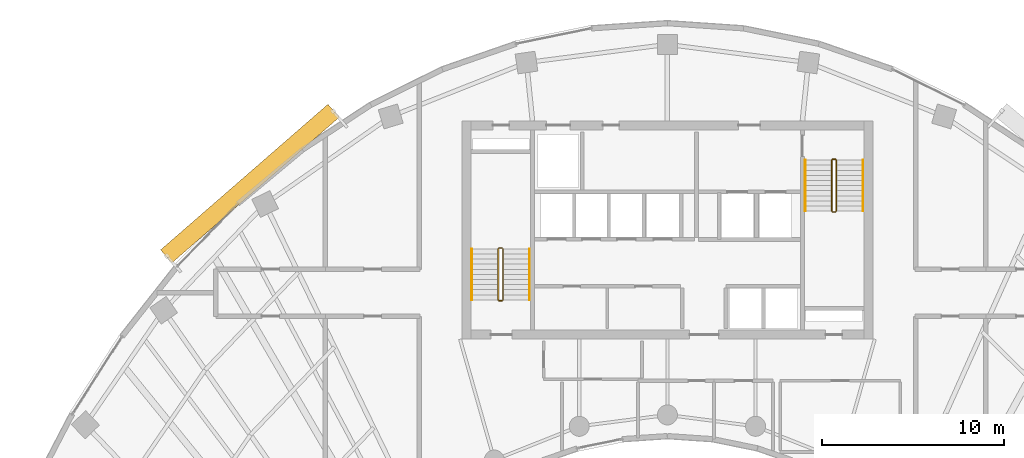
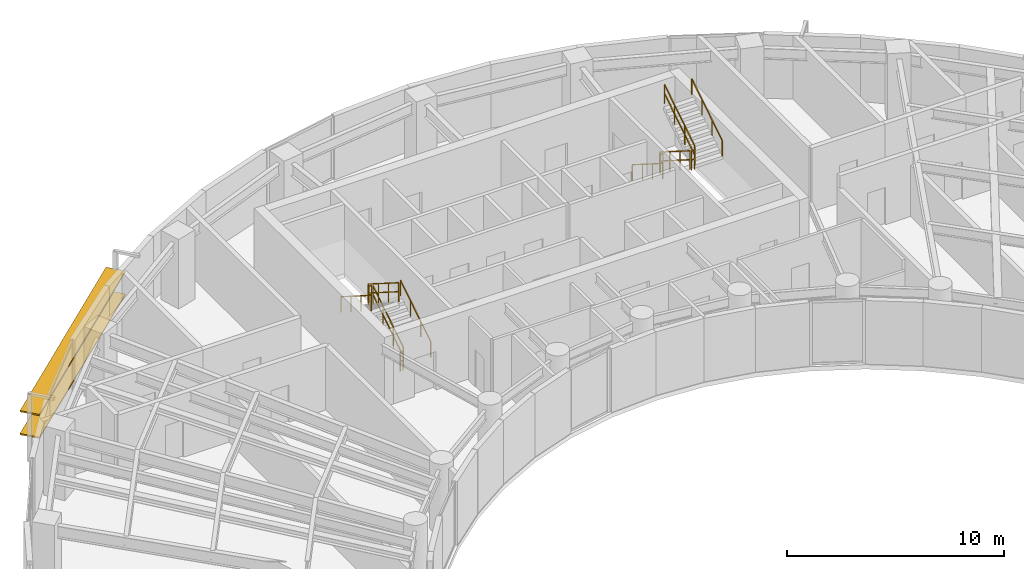
# One storey, part 12 of 13: 12 railings, 2 shading devices.
"""IFC4 building model written with IfcOpenShell, lengths in metres."""

from ifc_helpers import new_model, si_unit, direction, frame, origin, origin_2d, place, context, subcontext, project, spatial, rectangle, extrude, source, transform, mapped, material, material_profile, profile_set, type_object, type_shapes, element, save


model = new_model("IFC4")

# Units and contexts
model_context = context("Model", 3, precision=1e-05, world=origin(), true_north=direction((0.0, 1.0)))
body_context = subcontext(model_context, "Body", "Model", "MODEL_VIEW")
ifc_project = project(units=[si_unit("LENGTHUNIT", "METRE"), si_unit("AREAUNIT", "SQUARE_METRE"), si_unit("VOLUMEUNIT", "CUBIC_METRE"), si_unit("PLANEANGLEUNIT", "RADIAN"), si_unit("MASSUNIT", "GRAM", prefix="KILO")], contexts=[model_context])

# Site, building, storey
site_placement = place(None, origin())
site = spatial("IfcSite", under=ifc_project, at=site_placement, CompositionType="ELEMENT")
building_placement = place(site_placement, origin())
building = spatial("IfcBuilding", under=site, at=building_placement, Name="Breltana Convention Tower", CompositionType="ELEMENT")
storey_placement = place(building_placement, frame((0.0, 0.0, 185.699951171875)))
storey = spatial("IfcBuildingStorey", under=building, at=storey_placement, Name="L45", CompositionType="ELEMENT", Elevation=185.699951171875)

# Railings
ifc_material_1 = material(Name="Steel S275 Painted", Category="steel")
railing_type_1 = type_object("IfcRailingType", Name="RL-STAIR-GUARD-1100", PredefinedType="GUARDRAIL", material=ifc_material_1)
railing_1_placement = place(storey_placement, frame((38.9599609375, 62.360107421875, 0.17724609375)))
element("IfcRailing", 1, at=railing_1_placement, inside=storey, type_object=railing_type_1, Name="L45 ST-1 stair guard 1", PredefinedType="GUARDRAIL", context=body_context, shape_type="SweptSolid", body=[
    extrude(rectangle(XDim=0.048095703125, YDim=0.048095703125, at=origin_2d()), frame((0.0, 0.0, 1.076171875), z_axis=(0.0, 0.844887892834, 0.53494340686), x_axis=(-1.0, 0.0, 0.0)), (0.0, 0.0, 1.0), 3.313720703125),
    extrude(rectangle(XDim=0.048095703125, YDim=0.048095703125, at=origin_2d()), frame((0.0, 0.0, 0.572021484375), z_axis=(0.0, 0.844887892834, 0.53494340686), x_axis=(-1.0, 0.0, 0.0)), (0.0, 0.0, 1.0), 3.313720703125),
    extrude(rectangle(XDim=0.0419921875, YDim=0.0419921875, at=origin_2d()), origin(), (0.0, 0.0, 1.0), 1.052001953125),
    extrude(rectangle(XDim=0.0419921875, YDim=0.0419921875, at=origin_2d()), frame((0.0, 0.933349609375, 0.5908203125)), (0.0, 0.0, 1.0), 1.052001953125),
    extrude(rectangle(XDim=0.0419921875, YDim=0.0419921875, at=origin_2d()), frame((0.0, 1.866455078125, 1.181884765625)), (0.0, 0.0, 1.0), 1.052001953125),
    extrude(rectangle(XDim=0.0419921875, YDim=0.0419921875, at=origin_2d()), frame((0.0, 2.7998046875, 1.772705078125)), (0.0, 0.0, 1.0), 1.052001953125),
])
railing_2_placement = place(storey_placement, frame((38.909912109375, 65.2099609375, 1.949951171875)))
element("IfcRailing", 2, at=railing_2_placement, inside=storey, type_object=railing_type_1, Name="L45 ST-1 stair guard 2", PredefinedType="GUARDRAIL", context=body_context, shape_type="SweptSolid", body=[
    extrude(rectangle(XDim=0.048095703125, YDim=0.048095703125, at=origin_2d()), frame((0.0, 0.0, 1.076171875), z_axis=(-1.0, 0.0, 0.0), x_axis=(0.0, -1.0, 0.0)), (0.0, 0.0, 1.0), 0.14990234375),
    extrude(rectangle(XDim=0.048095703125, YDim=0.048095703125, at=origin_2d()), frame((0.0, 0.0, 0.572021484375), z_axis=(-1.0, 0.0, 0.0), x_axis=(0.0, -1.0, 0.0)), (0.0, 0.0, 1.0), 0.14990234375),
    extrude(rectangle(XDim=0.0419921875, YDim=0.0419921875, at=origin_2d()), origin(), (0.0, 0.0, 1.0), 1.052001953125),
    extrude(rectangle(XDim=0.0419921875, YDim=0.0419921875, at=origin_2d()), frame((-0.14990234375, 0.0, 0.0)), (0.0, 0.0, 1.0), 1.052001953125),
])
railing_3_placement = place(storey_placement, frame((38.7099609375, 65.159912109375, 2.12744140625)))
element("IfcRailing", 3, at=railing_3_placement, inside=storey, type_object=railing_type_1, Name="L45 ST-1 stair guard 3", PredefinedType="GUARDRAIL", context=body_context, shape_type="SweptSolid", body=[
    extrude(rectangle(XDim=0.048095703125, YDim=0.048095703125, at=origin_2d()), frame((0.0, 0.0, 1.076171875), z_axis=(0.0, -0.844887892834, 0.53494340686), x_axis=(1.0, 0.0, 0.0)), (0.0, 0.0, 1.0), 3.313720703125),
    extrude(rectangle(XDim=0.048095703125, YDim=0.048095703125, at=origin_2d()), frame((0.0, 0.0, 0.572021484375), z_axis=(0.0, -0.844887892834, 0.53494340686), x_axis=(1.0, 0.0, 0.0)), (0.0, 0.0, 1.0), 3.313720703125),
    extrude(rectangle(XDim=0.0419921875, YDim=0.0419921875, at=origin_2d()), origin(), (0.0, 0.0, 1.0), 1.052001953125),
    extrude(rectangle(XDim=0.0419921875, YDim=0.0419921875, at=origin_2d()), frame((0.0, -0.933349609375, 0.5908203125)), (0.0, 0.0, 1.0), 1.052001953125),
    extrude(rectangle(XDim=0.0419921875, YDim=0.0419921875, at=origin_2d()), frame((0.0, -1.866455078125, 1.181884765625)), (0.0, 0.0, 1.0), 1.052001953125),
    extrude(rectangle(XDim=0.0419921875, YDim=0.0419921875, at=origin_2d()), frame((0.0, -2.7998046875, 1.772705078125)), (0.0, 0.0, 1.0), 1.052001953125),
])
railing_4_placement = place(storey_placement, frame((38.909912109375, 62.31005859375, 0.0)))
element("IfcRailing", 4, at=railing_4_placement, inside=storey, type_object=railing_type_1, Name="L45 ST-1 stair guard 4", PredefinedType="GUARDRAIL", context=body_context, shape_type="SweptSolid", body=[
    extrude(rectangle(XDim=0.048095703125, YDim=0.048095703125, at=origin_2d()), frame((0.0, 0.0, 1.076171875), z_axis=(-1.0, 0.0, 0.0), x_axis=(0.0, -1.0, 0.0)), (0.0, 0.0, 1.0), 0.14990234375),
    extrude(rectangle(XDim=0.048095703125, YDim=0.048095703125, at=origin_2d()), frame((0.0, 0.0, 0.572021484375), z_axis=(-1.0, 0.0, 0.0), x_axis=(0.0, -1.0, 0.0)), (0.0, 0.0, 1.0), 0.14990234375),
    extrude(rectangle(XDim=0.0419921875, YDim=0.0419921875, at=origin_2d()), origin(), (0.0, 0.0, 1.0), 1.052001953125),
    extrude(rectangle(XDim=0.0419921875, YDim=0.0419921875, at=origin_2d()), frame((-0.14990234375, 0.0, 0.0)), (0.0, 0.0, 1.0), 1.052001953125),
])
railing_5_placement = place(storey_placement, frame((57.0400390625, 70.0400390625, 0.17724609375)))
element("IfcRailing", 5, at=railing_5_placement, inside=storey, type_object=railing_type_1, Name="L45 ST-2 stair guard 1", PredefinedType="GUARDRAIL", context=body_context, shape_type="SweptSolid", body=[
    extrude(rectangle(XDim=0.048095703125, YDim=0.048095703125, at=origin_2d()), frame((0.0, 0.0, 1.076171875), z_axis=(0.0, -0.844908973607, 0.534910110503), x_axis=(1.0, 0.0, 0.0)), (0.0, 0.0, 1.0), 3.31396484375),
    extrude(rectangle(XDim=0.048095703125, YDim=0.048095703125, at=origin_2d()), frame((0.0, 0.0, 0.572021484375), z_axis=(0.0, -0.844908973607, 0.534910110503), x_axis=(1.0, 0.0, 0.0)), (0.0, 0.0, 1.0), 3.31396484375),
    extrude(rectangle(XDim=0.0419921875, YDim=0.0419921875, at=origin_2d()), origin(), (0.0, 0.0, 1.0), 1.052001953125),
    extrude(rectangle(XDim=0.0419921875, YDim=0.0419921875, at=origin_2d()), frame((0.0, -0.933349609375, 0.5908203125)), (0.0, 0.0, 1.0), 1.052001953125),
    extrude(rectangle(XDim=0.0419921875, YDim=0.0419921875, at=origin_2d()), frame((0.0, -1.86669921875, 1.181884765625)), (0.0, 0.0, 1.0), 1.052001953125),
    extrude(rectangle(XDim=0.0419921875, YDim=0.0419921875, at=origin_2d()), frame((0.0, -2.800048828125, 1.772705078125)), (0.0, 0.0, 1.0), 1.052001953125),
])
railing_6_placement = place(storey_placement, frame((57.090087890625, 67.18994140625, 1.949951171875)))
element("IfcRailing", 6, at=railing_6_placement, inside=storey, type_object=railing_type_1, Name="L45 ST-2 stair guard 2", PredefinedType="GUARDRAIL", context=body_context, shape_type="SweptSolid", body=[
    extrude(rectangle(XDim=0.048095703125, YDim=0.048095703125, at=origin_2d()), frame((0.0, 0.0, 1.076171875), z_axis=(1.0, 0.0, 0.0), x_axis=(0.0, 1.0, 0.0)), (0.0, 0.0, 1.0), 0.14990234375),
    extrude(rectangle(XDim=0.048095703125, YDim=0.048095703125, at=origin_2d()), frame((0.0, 0.0, 0.572021484375), z_axis=(1.0, 0.0, 0.0), x_axis=(0.0, 1.0, 0.0)), (0.0, 0.0, 1.0), 0.14990234375),
    extrude(rectangle(XDim=0.0419921875, YDim=0.0419921875, at=origin_2d()), origin(), (0.0, 0.0, 1.0), 1.052001953125),
    extrude(rectangle(XDim=0.0419921875, YDim=0.0419921875, at=origin_2d()), frame((0.14990234375, 0.0, 0.0)), (0.0, 0.0, 1.0), 1.052001953125),
])
railing_7_placement = place(storey_placement, frame((57.2900390625, 67.239990234375, 2.12744140625)))
element("IfcRailing", 7, at=railing_7_placement, inside=storey, type_object=railing_type_1, Name="L45 ST-2 stair guard 3", PredefinedType="GUARDRAIL", context=body_context, shape_type="SweptSolid", body=[
    extrude(rectangle(XDim=0.048095703125, YDim=0.048095703125, at=origin_2d()), frame((0.0, 0.0, 1.076171875), z_axis=(0.0, 0.844908973607, 0.534910110503), x_axis=(-1.0, 0.0, 0.0)), (0.0, 0.0, 1.0), 3.31396484375),
    extrude(rectangle(XDim=0.048095703125, YDim=0.048095703125, at=origin_2d()), frame((0.0, 0.0, 0.572021484375), z_axis=(0.0, 0.844908973607, 0.534910110503), x_axis=(-1.0, 0.0, 0.0)), (0.0, 0.0, 1.0), 3.31396484375),
    extrude(rectangle(XDim=0.0419921875, YDim=0.0419921875, at=origin_2d()), origin(), (0.0, 0.0, 1.0), 1.052001953125),
    extrude(rectangle(XDim=0.0419921875, YDim=0.0419921875, at=origin_2d()), frame((0.0, 0.933349609375, 0.5908203125)), (0.0, 0.0, 1.0), 1.052001953125),
    extrude(rectangle(XDim=0.0419921875, YDim=0.0419921875, at=origin_2d()), frame((0.0, 1.86669921875, 1.181884765625)), (0.0, 0.0, 1.0), 1.052001953125),
    extrude(rectangle(XDim=0.0419921875, YDim=0.0419921875, at=origin_2d()), frame((0.0, 2.800048828125, 1.772705078125)), (0.0, 0.0, 1.0), 1.052001953125),
])
railing_8_placement = place(storey_placement, frame((57.090087890625, 70.090087890625, 0.0)))
element("IfcRailing", 8, at=railing_8_placement, inside=storey, type_object=railing_type_1, Name="L45 ST-2 stair guard 4", PredefinedType="GUARDRAIL", context=body_context, shape_type="SweptSolid", body=[
    extrude(rectangle(XDim=0.048095703125, YDim=0.048095703125, at=origin_2d()), frame((0.0, 0.0, 1.076171875), z_axis=(1.0, 0.0, 0.0), x_axis=(0.0, 1.0, 0.0)), (0.0, 0.0, 1.0), 0.14990234375),
    extrude(rectangle(XDim=0.048095703125, YDim=0.048095703125, at=origin_2d()), frame((0.0, 0.0, 0.572021484375), z_axis=(1.0, 0.0, 0.0), x_axis=(0.0, 1.0, 0.0)), (0.0, 0.0, 1.0), 0.14990234375),
    extrude(rectangle(XDim=0.0419921875, YDim=0.0419921875, at=origin_2d()), origin(), (0.0, 0.0, 1.0), 1.052001953125),
    extrude(rectangle(XDim=0.0419921875, YDim=0.0419921875, at=origin_2d()), frame((0.14990234375, 0.0, 0.0)), (0.0, 0.0, 1.0), 1.052001953125),
])
ifc_material_2 = material(Name="Stainless Steel 316L", Category="steel")
railing_type_2 = type_object("IfcRailingType", Name="RL-STAIR-HANDRAIL-900", PredefinedType="HANDRAIL", material=ifc_material_2)
railing_9_placement = place(storey_placement, frame((40.419921875, 62.360107421875, 0.17724609375)))
element("IfcRailing", 9, at=railing_9_placement, inside=storey, type_object=railing_type_2, Name="L45 ST-1 stair handrail 1", PredefinedType="HANDRAIL", context=body_context, shape_type="SweptSolid", body=[
    extrude(rectangle(XDim=0.048095703125, YDim=0.048095703125, at=origin_2d()), frame((0.0, 0.0, 0.8759765625), z_axis=(0.0, 0.844887892834, 0.53494340686), x_axis=(-1.0, 0.0, 0.0)), (0.0, 0.0, 1.0), 3.313720703125),
    extrude(rectangle(XDim=0.0419921875, YDim=0.0419921875, at=origin_2d()), origin(), (0.0, 0.0, 1.0), 0.851806640625),
    extrude(rectangle(XDim=0.0419921875, YDim=0.0419921875, at=origin_2d()), frame((0.0, 0.933349609375, 0.5908203125)), (0.0, 0.0, 1.0), 0.851806640625),
    extrude(rectangle(XDim=0.0419921875, YDim=0.0419921875, at=origin_2d()), frame((0.0, 1.866455078125, 1.181884765625)), (0.0, 0.0, 1.0), 0.851806640625),
    extrude(rectangle(XDim=0.0419921875, YDim=0.0419921875, at=origin_2d()), frame((0.0, 2.7998046875, 1.772705078125)), (0.0, 0.0, 1.0), 0.851806640625),
])
railing_10_placement = place(storey_placement, frame((37.25, 65.159912109375, 2.12744140625)))
element("IfcRailing", 10, at=railing_10_placement, inside=storey, type_object=railing_type_2, Name="L45 ST-1 stair handrail 2", PredefinedType="HANDRAIL", context=body_context, shape_type="SweptSolid", body=[
    extrude(rectangle(XDim=0.048095703125, YDim=0.048095703125, at=origin_2d()), frame((0.0, 0.0, 0.8759765625), z_axis=(0.0, -0.844887892834, 0.53494340686), x_axis=(1.0, 0.0, 0.0)), (0.0, 0.0, 1.0), 3.313720703125),
    extrude(rectangle(XDim=0.0419921875, YDim=0.0419921875, at=origin_2d()), origin(), (0.0, 0.0, 1.0), 0.851806640625),
    extrude(rectangle(XDim=0.0419921875, YDim=0.0419921875, at=origin_2d()), frame((0.0, -0.933349609375, 0.5908203125)), (0.0, 0.0, 1.0), 0.851806640625),
    extrude(rectangle(XDim=0.0419921875, YDim=0.0419921875, at=origin_2d()), frame((0.0, -1.866455078125, 1.181884765625)), (0.0, 0.0, 1.0), 0.851806640625),
    extrude(rectangle(XDim=0.0419921875, YDim=0.0419921875, at=origin_2d()), frame((0.0, -2.7998046875, 1.772705078125)), (0.0, 0.0, 1.0), 0.851806640625),
])
railing_11_placement = place(storey_placement, frame((55.580078125, 70.0400390625, 0.17724609375)))
element("IfcRailing", 11, at=railing_11_placement, inside=storey, type_object=railing_type_2, Name="L45 ST-2 stair handrail 1", PredefinedType="HANDRAIL", context=body_context, shape_type="SweptSolid", body=[
    extrude(rectangle(XDim=0.048095703125, YDim=0.048095703125, at=origin_2d()), frame((0.0, 0.0, 0.8759765625), z_axis=(0.0, -0.844908973607, 0.534910110503), x_axis=(1.0, 0.0, 0.0)), (0.0, 0.0, 1.0), 3.31396484375),
    extrude(rectangle(XDim=0.0419921875, YDim=0.0419921875, at=origin_2d()), origin(), (0.0, 0.0, 1.0), 0.851806640625),
    extrude(rectangle(XDim=0.0419921875, YDim=0.0419921875, at=origin_2d()), frame((0.0, -0.933349609375, 0.5908203125)), (0.0, 0.0, 1.0), 0.851806640625),
    extrude(rectangle(XDim=0.0419921875, YDim=0.0419921875, at=origin_2d()), frame((0.0, -1.86669921875, 1.181884765625)), (0.0, 0.0, 1.0), 0.851806640625),
    extrude(rectangle(XDim=0.0419921875, YDim=0.0419921875, at=origin_2d()), frame((0.0, -2.800048828125, 1.772705078125)), (0.0, 0.0, 1.0), 0.851806640625),
])
railing_12_placement = place(storey_placement, frame((58.75, 67.239990234375, 2.12744140625)))
element("IfcRailing", 12, at=railing_12_placement, inside=storey, type_object=railing_type_2, Name="L45 ST-2 stair handrail 2", PredefinedType="HANDRAIL", context=body_context, shape_type="SweptSolid", body=[
    extrude(rectangle(XDim=0.048095703125, YDim=0.048095703125, at=origin_2d()), frame((0.0, 0.0, 0.8759765625), z_axis=(0.0, 0.844908973607, 0.534910110503), x_axis=(-1.0, 0.0, 0.0)), (0.0, 0.0, 1.0), 3.31396484375),
    extrude(rectangle(XDim=0.0419921875, YDim=0.0419921875, at=origin_2d()), origin(), (0.0, 0.0, 1.0), 0.851806640625),
    extrude(rectangle(XDim=0.0419921875, YDim=0.0419921875, at=origin_2d()), frame((0.0, 0.933349609375, 0.5908203125)), (0.0, 0.0, 1.0), 0.851806640625),
    extrude(rectangle(XDim=0.0419921875, YDim=0.0419921875, at=origin_2d()), frame((0.0, 1.86669921875, 1.181884765625)), (0.0, 0.0, 1.0), 0.851806640625),
    extrude(rectangle(XDim=0.0419921875, YDim=0.0419921875, at=origin_2d()), frame((0.0, 2.800048828125, 1.772705078125)), (0.0, 0.0, 1.0), 0.851806640625),
])

# Shading devices
ifc_material_3 = material(Name="Limestone Warm Buff Honed", Category="masonry")
ifc_material_profile = material_profile(ifc_material_3, rectangle(XDim=0.949951171875, YDim=0.080078125, at=origin_2d()), Name="STN-LVR-950X80")
ifc_profile_set = profile_set([ifc_material_profile], Name="Limestone Warm Buff Honed")
shading_device_type = type_object("IfcShadingDeviceType", Name="SHD-OUTER-SKIN-LIMESTONE-950", PredefinedType="JALOUSIE", material=ifc_profile_set)
shared_shape = source(origin(), body_context, "Body", "SweptSolid", [
    extrude(rectangle(XDim=0.949951171875, YDim=0.080078125, at=origin_2d()), origin(), (0.0, 0.0, 1.0), 12.1943359375),
])
type_shapes(shading_device_type, [shared_shape])
for number, where, z_axis, x_axis, name in (
    (13, (20.451904296875, 64.74951171875, 1.288818359375), (0.754361083307, 0.656459713914, 0.0), (-0.656459713914, 0.754361083307, 0.0), "L45 outer skin warm limestone louvre 1.1"),
    (14, (20.451904296875, 64.74951171875, 2.57763671875), (0.754361083307, 0.656459713914, 0.0), (-0.656459713914, 0.754361083307, 0.0), "L45 outer skin warm limestone louvre 1.2"),
):
    element("IfcShadingDevice", number, at=place(storey_placement, frame(where, z_axis=z_axis, x_axis=x_axis)), inside=storey, type_object=shading_device_type, Name=name, PredefinedType="JALOUSIE", context=body_context, shape_type="MappedRepresentation", body=[
        mapped(shared_shape, transform((0.0, 0.0, 0.0), scale=1.0)),
    ])

save(model, "model.ifc")
